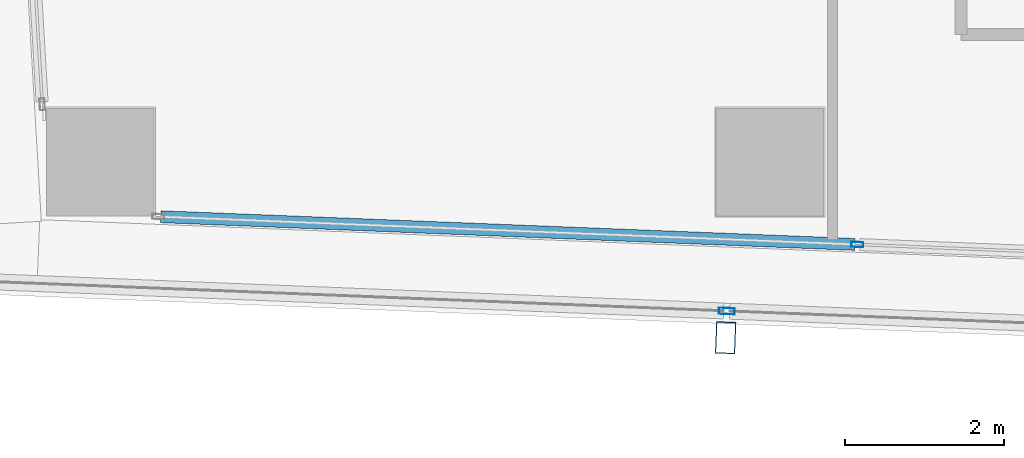
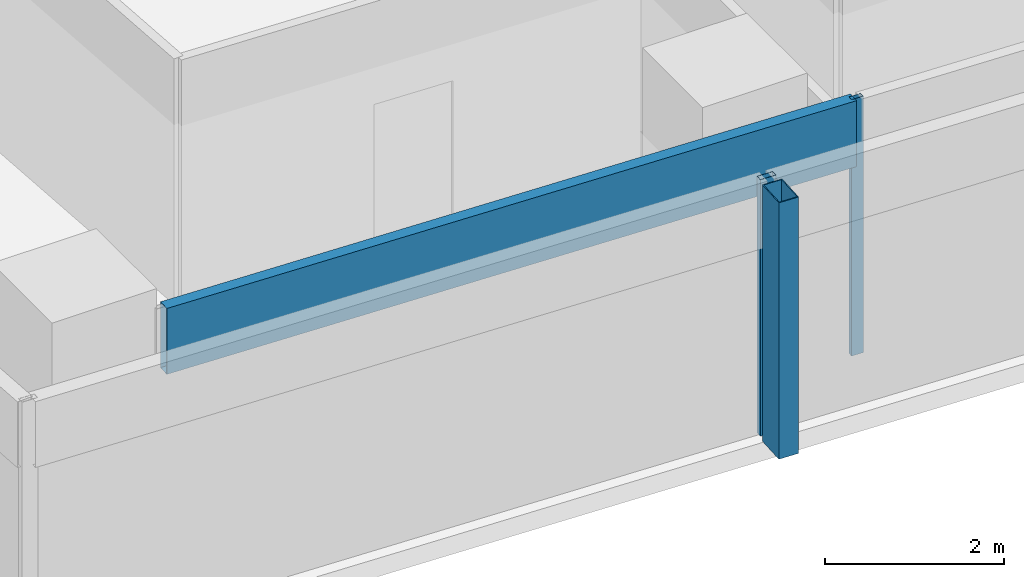
# One storey, part 3 of 38: 4 members, 2 elements without a shape of their own.
"""IFC4 building model written with IfcOpenShell, lengths in metres."""

from ifc_helpers import new_model, si_unit, direction, frame, origin, origin_2d, place, context, subcontext, project, spatial, hollow_rectangle, extrude, material, material_profile, profile_set, type_object, element, aggregate, save


model = new_model("IFC4")

# Units and contexts
model_context = context("Model", 3, precision=1e-05, world=origin(), true_north=direction((0.0, 1.0)))
body_context = subcontext(model_context, "Body", "Model", "MODEL_VIEW")
ifc_project = project(units=[si_unit("LENGTHUNIT", "METRE"), si_unit("AREAUNIT", "SQUARE_METRE"), si_unit("VOLUMEUNIT", "CUBIC_METRE"), si_unit("PLANEANGLEUNIT", "RADIAN"), si_unit("MASSUNIT", "GRAM", prefix="KILO")], contexts=[model_context])

# Site, building, storey
site_placement = place(None, origin())
site = spatial("IfcSite", under=ifc_project, at=site_placement, CompositionType="ELEMENT")
building_placement = place(site_placement, origin())
building = spatial("IfcBuilding", under=site, at=building_placement, Name="Rekha Terrace Tower", CompositionType="ELEMENT")
storey_placement = place(building_placement, frame((0.0, 0.0, 198.949951171875)))
storey = spatial("IfcBuildingStorey", under=building, at=storey_placement, Name="L50", CompositionType="ELEMENT", Elevation=198.949951171875)

# Curtain wall, member
ifc_material_1 = material(Name="Aluminium framing", Category="aluminium")
curtain_wall_type_1 = type_object("IfcCurtainWallType", Name="CW2 double skin outer glazing", PredefinedType="USERDEFINED", material=ifc_material_1)
curtain_wall_1_placement = place(storey_placement, origin())
curtain_wall_1 = element("IfcCurtainWall", 1, at=curtain_wall_1_placement, inside=storey, type_object=curtain_wall_type_1, Name="CW2 double skin outer glazing", ObjectType="DOUBLE SKIN OUTER GLAZING", PredefinedType="USERDEFINED")
ifc_material_2 = material(Name="Steel S355 with fluorocarbon finish", Category="steel")
ifc_material_profile_1 = material_profile(ifc_material_2, hollow_rectangle(XDim=0.25, YDim=0.39990234375, WallThickness=0.012451171875, at=origin_2d()), Name="RHS400x250x12.5")
ifc_profile_set_1 = profile_set([ifc_material_profile_1], Name="Steel S355 with fluorocarbon finish")
member_type_1 = type_object("IfcMemberType", Name="BL1 facade blade RHS 400 x 250", PredefinedType="USERDEFINED", material=ifc_profile_set_1)
member_1_placement = place(storey_placement, frame((16.24658203125, 14.595947265625, 0.0), z_axis=(0.0, 0.0, 1.0), x_axis=(0.999204797763, -0.039871946621, 0.0)))
member_1 = element("IfcMember", 2, at=member_1_placement, type_object=member_type_1, Name="Facade blade", ObjectType="FACADE BLADE", PredefinedType="USERDEFINED", context=body_context, shape_type="SweptSolid", body=[
    extrude(hollow_rectangle(XDim=0.25, YDim=0.39990234375, WallThickness=0.012451171875, at=origin_2d()), origin(), (0.0, 0.0, 1.0), 3.5),
])

# Curtain wall, members
curtain_wall_type_2 = type_object("IfcCurtainWallType", Name="CW1 double skin inner glazing", PredefinedType="USERDEFINED", material=ifc_material_1)
curtain_wall_2_placement = place(storey_placement, origin())
curtain_wall_2 = element("IfcCurtainWall", 3, at=curtain_wall_2_placement, inside=storey, type_object=curtain_wall_type_2, Name="CW1 double skin inner glazing", ObjectType="DOUBLE SKIN INNER GLAZING", PredefinedType="USERDEFINED")
ifc_material_3 = material(Name="Aluminium mullion section", Category="aluminium")
ifc_material_profile_2 = material_profile(ifc_material_3, hollow_rectangle(XDim=0.06494140625, YDim=0.14990234375, WallThickness=0.00390625, at=origin_2d()), Name="AL RHS 65x150")
ifc_profile_set_2 = profile_set([ifc_material_profile_2], Name="Aluminium mullion section")
member_type_2 = type_object("IfcMemberType", Name="CW1 mullion RHS 65 x 150", PredefinedType="MULLION", material=ifc_profile_set_2)
member_2_placement = place(storey_placement, frame((17.89892578125, 15.765869140625, 0.0), z_axis=(0.0, 0.0, 1.0), x_axis=(0.039872497061, 0.999204775798, 0.0)))
member_2 = element("IfcMember", 4, at=member_2_placement, type_object=member_type_2, Name="CW1 mullion 2", PredefinedType="MULLION", context=body_context, shape_type="SweptSolid", body=[
    extrude(hollow_rectangle(XDim=0.06494140625, YDim=0.14990234375, WallThickness=0.00390625, at=origin_2d()), origin(), (0.0, 0.0, 1.0), 3.5),
])
ifc_material_4 = material(Name="Insulated aluminium spandrel box", Category="aluminium")
ifc_material_profile_3 = material_profile(ifc_material_4, hollow_rectangle(XDim=0.14990234375, YDim=0.89990234375, WallThickness=0.0029296875, at=origin_2d()), Name="AL SPANDREL BOX 150x900")
ifc_profile_set_3 = profile_set([ifc_material_profile_3], Name="Insulated aluminium spandrel box")
member_type_3 = type_object("IfcMemberType", Name="CW1 spandrel transom 150 x 900", PredefinedType="USERDEFINED", material=ifc_profile_set_3)
member_3_placement = place(storey_placement, frame((9.15966796875, 16.11474609375, 3.050048828125), z_axis=(0.999204892499, -0.039869572443, 0.0), x_axis=(0.039869572443, 0.999204892499, 0.0)))
member_3 = element("IfcMember", 5, at=member_3_placement, type_object=member_type_3, Name="CW1 spandrel transom 1", ObjectType="TRANSOM", PredefinedType="USERDEFINED", context=body_context, shape_type="SweptSolid", body=[
    extrude(hollow_rectangle(XDim=0.14990234375, YDim=0.89990234375, WallThickness=0.0029296875, at=origin_2d()), origin(), (0.0, 0.0, 1.0), 8.713623046875),
])
aggregate(curtain_wall_2, [member_2, member_3])

# Member
ifc_material_profile_4 = material_profile(ifc_material_3, hollow_rectangle(XDim=0.080078125, YDim=0.199951171875, WallThickness=0.00390625, at=origin_2d()), Name="AL RHS 80x200")
ifc_profile_set_4 = profile_set([ifc_material_profile_4], Name="Aluminium mullion section")
member_type_4 = type_object("IfcMemberType", Name="CW2 mullion RHS 80 x 200", PredefinedType="MULLION", material=ifc_profile_set_4)
member_4_placement = place(storey_placement, frame((16.259765625, 14.9306640625, 0.0), z_axis=(0.0, 0.0, 1.0), x_axis=(0.039872497044, 0.999204775799, 0.0)))
member_4 = element("IfcMember", 6, at=member_4_placement, type_object=member_type_4, Name="CW2 mullion 2", PredefinedType="MULLION", context=body_context, shape_type="SweptSolid", body=[
    extrude(hollow_rectangle(XDim=0.080078125, YDim=0.199951171875, WallThickness=0.00390625, at=origin_2d()), origin(), (0.0, 0.0, 1.0), 3.5),
])

aggregate(curtain_wall_1, [member_4, member_1])

save(model, "model.ifc")
